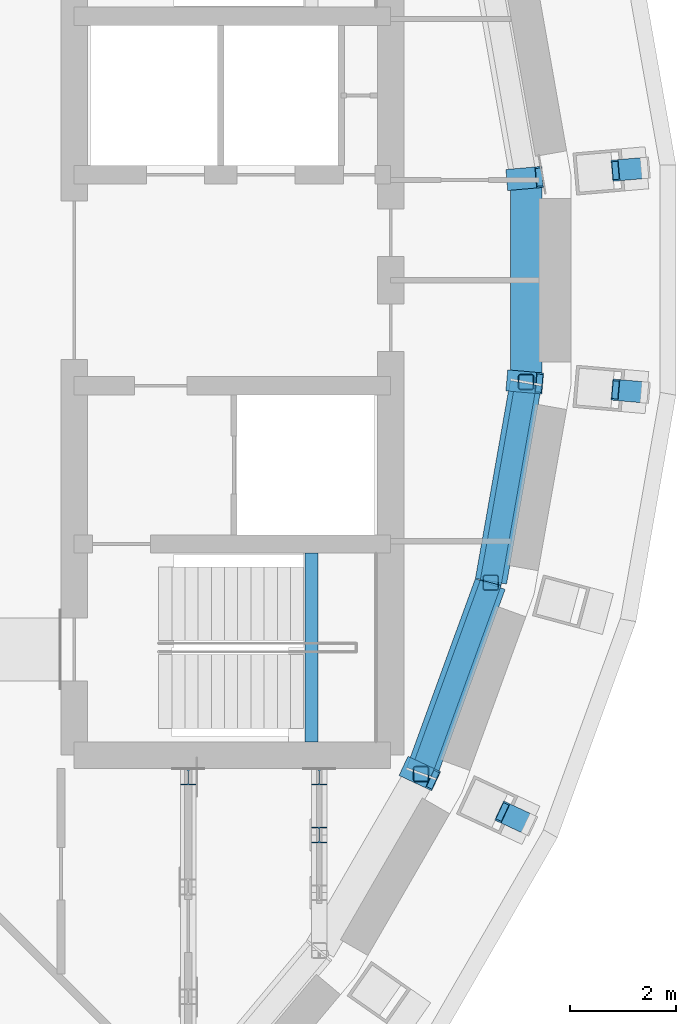
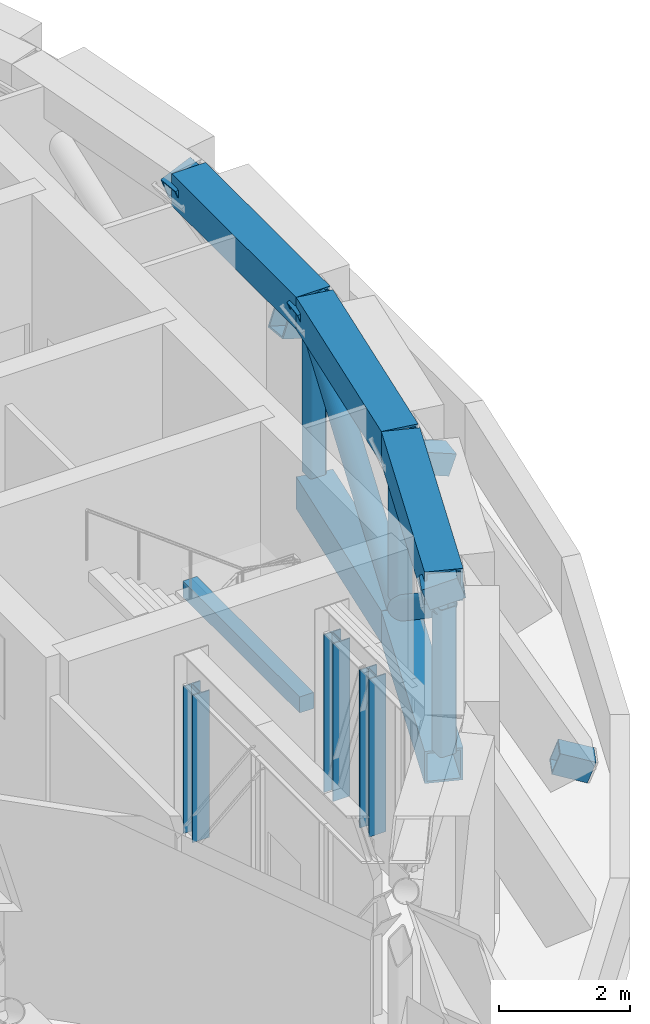
# One storey, part 5 of 20: 13 members, 7 beams.
"""IFC4 building model written with IfcOpenShell, lengths in metres."""

from ifc_helpers import new_model, si_unit, direction, frame, origin, origin_2d, place, context, subcontext, project, spatial, rectangle, hollow_rectangle, hollow_circle, i_section, extrude, material, material_profile, profile_set, type_object, element, save


model = new_model("IFC4")

# Units and contexts
model_context = context("Model", 3, precision=1e-05, world=origin(), true_north=direction((0.0, 1.0)))
body_context = subcontext(model_context, "Body", "Model", "MODEL_VIEW")
ifc_project = project(units=[si_unit("LENGTHUNIT", "METRE"), si_unit("AREAUNIT", "SQUARE_METRE"), si_unit("VOLUMEUNIT", "CUBIC_METRE"), si_unit("PLANEANGLEUNIT", "RADIAN"), si_unit("MASSUNIT", "GRAM", prefix="KILO")], contexts=[model_context])

# Site, building, storey
site_placement = place(None, origin())
site = spatial("IfcSite", under=ifc_project, at=site_placement, CompositionType="ELEMENT")
building_placement = place(site_placement, origin())
building = spatial("IfcBuilding", under=site, at=building_placement, Name="Saqina Gate Tower", CompositionType="ELEMENT")
storey_placement = place(building_placement, frame((0.0, 0.0, 220.199951171875)))
storey = spatial("IfcBuildingStorey", under=building, at=storey_placement, Name="L63", CompositionType="ELEMENT", Elevation=220.199951171875)

# Beam
ifc_material_1 = material(Name="Concrete C40/50", Category="concrete")
ifc_material_profile_1 = material_profile(ifc_material_1, rectangle(XDim=0.25, YDim=0.300048828125, at=origin_2d()), Name="STAIR LANDING BEAM")
ifc_profile_set_1 = profile_set([ifc_material_profile_1], Name="Concrete C40/50")
beam_type_1 = type_object("IfcBeamType", Name="STAIR LANDING BEAM", PredefinedType="BEAM", material=ifc_profile_set_1)
beam_placement = place(storey_placement, frame((18.0, -8.75, 1.85009765625), z_axis=(0.0, 1.0, 0.0), x_axis=(-1.0, 0.0, 0.0)))
element("IfcBeam", 1, at=beam_placement, inside=storey, type_object=beam_type_1, Name="EXIT STAIR 2 LANDING BEAM", PredefinedType="BEAM", context=body_context, shape_type="SweptSolid", body=[
    extrude(rectangle(XDim=0.25, YDim=0.300048828125, at=origin_2d()), origin(), (0.0, 0.0, 1.0), 3.574951171875),
])

# Members
ifc_material_2 = material(Name="Steel S460", Category="steel")
ifc_material_profile_2 = material_profile(ifc_material_2, hollow_rectangle(XDim=0.60009765625, YDim=0.60009765625, WallThickness=0.0400390625, at=origin_2d()), Name="BOX 600x600x40")
ifc_profile_set_2 = profile_set([ifc_material_profile_2], Name="Steel S460")
member_type_1 = type_object("IfcMemberType", Name="STR-BELT TRUSS L63 CHORD-BOX 600x600x40", PredefinedType="CHORD", material=ifc_profile_set_2)
for number, where, z_axis, x_axis, name in (
    (2, (20.083740234375, -9.33642578125, 0.300048828125), (0.341995255876, 0.939701678704, 0.0), (-0.939701678704, 0.341995255876, 0.0), "BELT TRUSS L63 CHORD 078"),
    (3, (20.083740234375, -9.33642578125, 3.650146484375), (0.341995255876, 0.939701678704, 0.0), (-0.939701678704, 0.341995255876, 0.0), "BELT TRUSS L63 CHORD 079"),
    (4, (21.39990234375, -5.70703125, 0.300048828125), (0.173591515108, 0.984817742469, 0.0), (-0.984817742469, 0.173591515108, 0.0), "BELT TRUSS L63 CHORD 081"),
    (5, (21.39990234375, -5.70703125, 3.650146484375), (0.173591515108, 0.984817742469, 0.0), (-0.984817742469, 0.173591515108, 0.0), "BELT TRUSS L63 CHORD 082"),
    (6, (22.065673828125, -1.904296875, 3.650146484375), (0.0, 1.0, 0.0), (-1.0, 0.0, 0.0), "BELT TRUSS L63 CHORD 084"),
):
    element("IfcMember", number, at=place(storey_placement, frame(where, z_axis=z_axis, x_axis=x_axis)), inside=storey, type_object=member_type_1, Name=name, PredefinedType="CHORD", context=body_context, shape_type="SweptSolid", body=[
        extrude(hollow_rectangle(XDim=0.60009765625, YDim=0.60009765625, WallThickness=0.0400390625, at=origin_2d()), origin(), (0.0, 0.0, 1.0), 3.80859375),
    ])
ifc_material_3 = material(Name="Steel S460", Category="steel")
ifc_material_profile_3 = material_profile(ifc_material_3, hollow_circle(Radius=0.203125, WallThickness=0.01611328125, at=origin_2d()), Name="CHS 406.4x16")
ifc_profile_set_3 = profile_set([ifc_material_profile_3], Name="Steel S460")
member_type_2 = type_object("IfcMemberType", Name="STR-BELT TRUSS L63 DIAGONAL-CHS 406.4x16", PredefinedType="BRACE", material=ifc_profile_set_3)
for number, where, z_axis, x_axis, name in (
    (7, (20.0712890625, -9.3701171875, 3.35693359375), (0.27861538892, 0.765385221428, -0.580136990612), (-0.939677645305, 0.342061285319, 0.0), "BELT TRUSS L63 DIAGONAL 080"),
    (8, (21.3935546875, -5.742431640625, 0.593017578125), (0.141436387066, 0.802139045921, 0.580145412309), (-0.984808250391, 0.17364535687, 0.0), "BELT TRUSS L63 DIAGONAL 083"),
):
    element("IfcMember", number, at=place(storey_placement, frame(where, z_axis=z_axis, x_axis=x_axis)), inside=storey, type_object=member_type_2, Name=name, PredefinedType="BRACE", context=body_context, shape_type="SweptSolid", body=[
        extrude(hollow_circle(Radius=0.203125, WallThickness=0.01611328125, at=origin_2d()), origin(), (0.0, 0.0, 1.0), 4.76416015625),
    ])
ifc_material_4 = material(Name="Steel S460", Category="steel")
ifc_material_profile_4 = material_profile(ifc_material_4, hollow_rectangle(XDim=0.300048828125, YDim=0.300048828125, WallThickness=0.01611328125, InnerFilletRadius=0.031982421875, OuterFilletRadius=0.048095703125, at=origin_2d()), Name="SHS 300x300x16")
ifc_profile_set_4 = profile_set([ifc_material_profile_4], Name="Steel S460")
member_type_3 = type_object("IfcMemberType", Name="STR-BELT TRUSS L63 POST-SHS 300x300x16", PredefinedType="POST", material=ifc_profile_set_4)
for number, where, z_axis, x_axis, name in (
    (9, (20.07470703125, -9.361083984375, 0.60009765625), (0.0, 0.0, 1.0), (1.0, 0.0, 0.0), "BELT TRUSS L63 POST 117"),
    (10, (21.395263671875, -5.73291015625, 0.60009765625), (0.0, 0.0, 1.0), (1.0, 0.0, 0.0), "BELT TRUSS L63 POST 118"),
    (11, (22.065673828125, -1.930419921875, 0.60009765625), (0.0, 0.0, 1.0), (1.0, 0.0, 0.0), "BELT TRUSS L63 POST 119"),
):
    element("IfcMember", number, at=place(storey_placement, frame(where, z_axis=z_axis, x_axis=x_axis)), inside=storey, type_object=member_type_3, Name=name, PredefinedType="POST", context=body_context, shape_type="SweptSolid", body=[
        extrude(hollow_rectangle(XDim=0.300048828125, YDim=0.300048828125, WallThickness=0.01611328125, InnerFilletRadius=0.031982421875, OuterFilletRadius=0.048095703125, at=origin_2d()), origin(), (0.0, 0.0, 1.0), 2.75),
    ])

# Beams
ifc_material_5 = material(Name="Steel S460", Category="steel")
ifc_material_profile_5 = material_profile(ifc_material_5, hollow_rectangle(XDim=0.39990234375, YDim=0.39990234375, WallThickness=0.030029296875, at=origin_2d()), Name="BOX 400x400x30")
ifc_profile_set_5 = profile_set([ifc_material_profile_5], Name="Steel S460")
beam_type_2 = type_object("IfcBeamType", Name="STR-NODE TIE BEAM L63-BOX 400x400x30", PredefinedType="BEAM", material=ifc_profile_set_5)
for number, where, z_axis, x_axis, name in (
    (12, (24.30712890625, 2.126708984375, 0.1884765625), (-0.938332928498, -0.082375929997, 0.335775998923), (0.087453305759, -0.996168619919, 0.0), "NODE TIE BEAM L63 01 FOOT"),
    (13, (21.766845703125, 1.904296875, 3.565673828125), (0.938332928498, 0.082375929997, 0.335775998923), (-0.087453305759, 0.996168619919, 0.0), "NODE TIE BEAM L63 01 HEAD"),
):
    element("IfcBeam", number, at=place(storey_placement, frame(where, z_axis=z_axis, x_axis=x_axis)), inside=storey, type_object=beam_type_2, Name=name, PredefinedType="BEAM", context=body_context, shape_type="SweptSolid", body=[
        extrude(hollow_rectangle(XDim=0.39990234375, YDim=0.39990234375, WallThickness=0.030029296875, at=origin_2d()), origin(), (0.0, 0.0, 1.0), 0.583740234375),
    ])
for number, where, z_axis, x_axis, name in (
    (14, (22.114013671875, -10.311767578125, 0.1884765625), (-0.853737646481, 0.398020685333, 0.335725431011), (-0.42254525848, -0.906341825437, 0.0), "NODE TIE BEAM L63 34 FOOT"),
    (15, (19.802734375, -9.234130859375, 3.565673828125), (0.853737646481, -0.398020685333, 0.335725431011), (0.42254525848, 0.906341825437, 0.0), "NODE TIE BEAM L63 34 HEAD"),
):
    element("IfcBeam", number, at=place(storey_placement, frame(where, z_axis=z_axis, x_axis=x_axis)), inside=storey, type_object=beam_type_2, Name=name, PredefinedType="BEAM", context=body_context, shape_type="SweptSolid", body=[
        extrude(hollow_rectangle(XDim=0.39990234375, YDim=0.39990234375, WallThickness=0.030029296875, at=origin_2d()), origin(), (0.0, 0.0, 1.0), 0.583984375),
    ])
for number, where, z_axis, x_axis, name in (
    (16, (24.30712890625, -2.126708984375, 0.1884765625), (-0.938332928498, 0.082375929997, 0.335775998923), (-0.087453305759, -0.996168619919, 0.0), "NODE TIE BEAM L63 36 FOOT"),
    (17, (21.766845703125, -1.904296875, 3.565673828125), (0.938332928498, -0.082375929997, 0.335775998923), (0.087453305759, 0.996168619919, 0.0), "NODE TIE BEAM L63 36 HEAD"),
):
    element("IfcBeam", number, at=place(storey_placement, frame(where, z_axis=z_axis, x_axis=x_axis)), inside=storey, type_object=beam_type_2, Name=name, PredefinedType="BEAM", context=body_context, shape_type="SweptSolid", body=[
        extrude(hollow_rectangle(XDim=0.39990234375, YDim=0.39990234375, WallThickness=0.030029296875, at=origin_2d()), origin(), (0.0, 0.0, 1.0), 0.583740234375),
    ])

# Members
ifc_material_6 = material(Name="Steel S460", Category="steel")
ifc_material_profile_6 = material_profile(ifc_material_6, i_section(OverallWidth=0.300048828125, OverallDepth=0.300048828125, WebThickness=0.010986328125, FlangeThickness=0.01904296875, FilletRadius=0.027099609375, at=origin_2d()), Name="HE 300 B")
ifc_profile_set_6 = profile_set([ifc_material_profile_6], Name="Steel S460")
member_type_4 = type_object("IfcMemberType", Name="STR-OUTRIGGER TRUSS L63 LONG POST-HE 300 B", PredefinedType="POST", material=ifc_profile_set_6)
member_placement = place(storey_placement, frame((15.662353515625, -9.41796875, 0.60009765625), z_axis=(0.0, 0.0, 1.0), x_axis=(1.0, 0.0, 0.0)))
element("IfcMember", 18, at=member_placement, inside=storey, type_object=member_type_4, Name="OUTRIGGER TRUSS L63 LONG POST 177", PredefinedType="POST", context=body_context, shape_type="SweptSolid", body=[
    extrude(i_section(OverallWidth=0.300048828125, OverallDepth=0.300048828125, WebThickness=0.010986328125, FlangeThickness=0.01904296875, FilletRadius=0.027099609375, at=origin_2d()), origin(), (0.0, 0.0, 1.0), 2.75),
])
ifc_material_7 = material(Name="Steel S460", Category="steel")
ifc_material_profile_7 = material_profile(ifc_material_7, i_section(OverallWidth=0.300048828125, OverallDepth=0.300048828125, WebThickness=0.010986328125, FlangeThickness=0.01904296875, FilletRadius=0.027099609375, at=origin_2d()), Name="HE 300 B")
ifc_profile_set_7 = profile_set([ifc_material_profile_7], Name="Steel S460")
member_type_5 = type_object("IfcMemberType", Name="STR-OUTRIGGER TRUSS L63 POST-HE 300 B", PredefinedType="POST", material=ifc_profile_set_7)
for number, where, z_axis, x_axis, name in (
    (19, (18.144287109375, -9.41796875, 0.5), (0.0, 0.0, 1.0), (1.0, 0.0, 0.0), "OUTRIGGER TRUSS L63 POST 137"),
    (20, (18.144287109375, -10.513671875, 0.5), (0.0, 0.0, 1.0), (1.0, 0.0, 0.0), "OUTRIGGER TRUSS L63 POST 138"),
):
    element("IfcMember", number, at=place(storey_placement, frame(where, z_axis=z_axis, x_axis=x_axis)), inside=storey, type_object=member_type_5, Name=name, PredefinedType="POST", context=body_context, shape_type="SweptSolid", body=[
        extrude(i_section(OverallWidth=0.300048828125, OverallDepth=0.300048828125, WebThickness=0.010986328125, FlangeThickness=0.01904296875, FilletRadius=0.027099609375, at=origin_2d()), origin(), (0.0, 0.0, 1.0), 2.949951171875),
    ])

save(model, "model.ifc")
